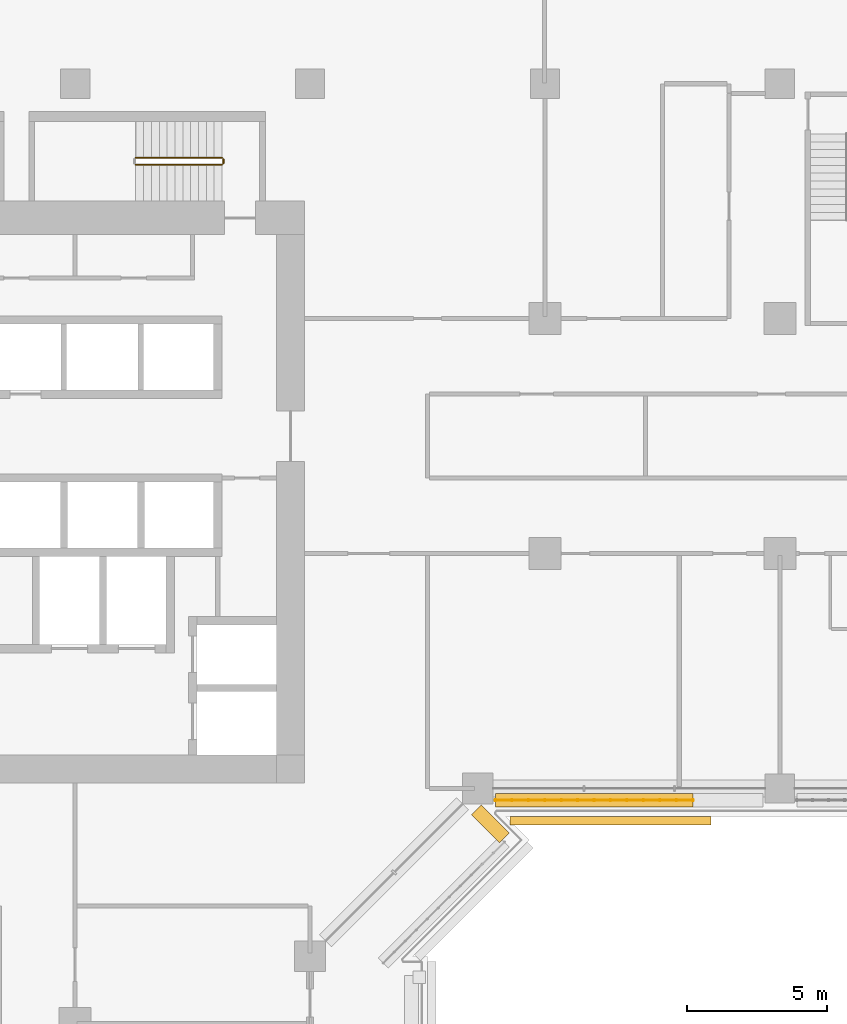
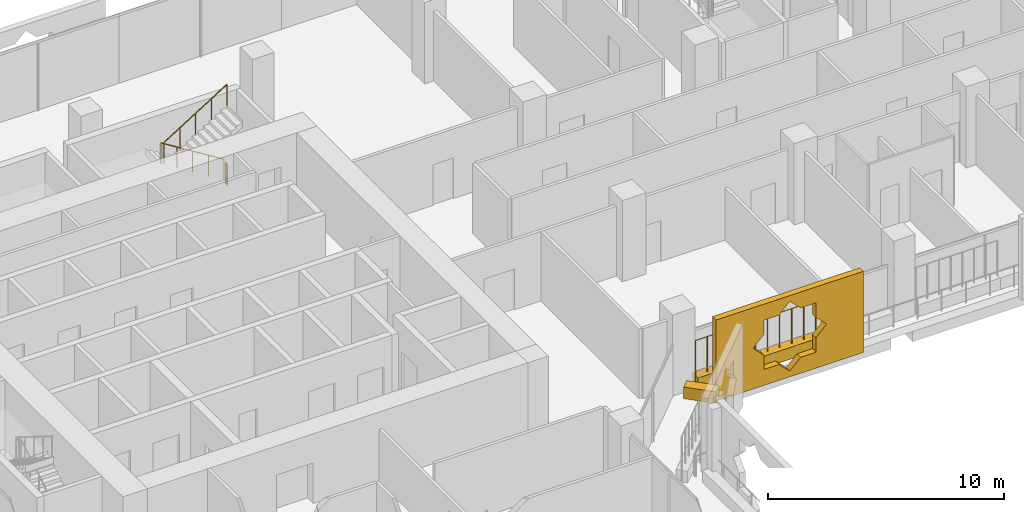
# One storey, part 22 of 25: 4 railings, 3 coverings.
"""IFC4 building model written with IfcOpenShell, lengths in metres."""

import ifcopenshell
import ifcopenshell.guid

model = None  # the IFC model being written
_history = None  # IfcOwnerHistory: only IFC2X3 demands one
_inside = {}  # id of a spatial element -> (the spatial element, [elements in it])
_under = {}  # id of a project, library or spatial element -> (it, [spatial elements below it])
_declared = {}  # id of a project -> (the project, [libraries it declares])
_typed = {}  # id of a type object -> (the type object, [elements of that type])
_made_of = {}  # id of a material, layer set ... -> (it, [elements and type objects made of it])


def new_model(schema):
    """Start an empty IFC model of exactly this schema.

    Asked for "IFC4X3", IfcOpenShell would pick the latest addendum, in which some entities
    have other attributes; the version numbers below select the first issue.
    IFC2X3 requires an IfcOwnerHistory on every rooted entity: one is made here for all.
    """
    global model, _history
    if schema == "IFC4X3":
        model = ifcopenshell.file(schema_version=(4, 3, 0, 0))
    else:
        model = ifcopenshell.file(schema=schema)
    _inside.clear()
    _under.clear()
    _declared.clear()
    _typed.clear()
    _made_of.clear()
    _history = None
    if model.schema == "IFC2X3":
        org = make("IfcOrganization", Name="unknown")
        user = make(
            "IfcPersonAndOrganization",
            ThePerson=make("IfcPerson", FamilyName="unknown"),
            TheOrganization=org,
        )
        app = make(
            "IfcApplication",
            ApplicationDeveloper=org,
            Version="unknown",
            ApplicationFullName="unknown",
            ApplicationIdentifier="unknown",
        )
        _history = make(
            "IfcOwnerHistory",
            OwningUser=user,
            OwningApplication=app,
            ChangeAction="ADDED",
            CreationDate=0,
        )
    return model


def make(cls, **values):
    """One entity of the class cls with the attributes given. An attribute that is None is left unset."""
    return model.create_entity(
        cls, **{name: value for name, value in values.items() if value is not None}
    )


def rooted(cls, **values):
    """An entity with a GlobalId (a new one), such as an element, a storey or a relation."""
    return make(cls, GlobalId=ifcopenshell.guid.new(), OwnerHistory=_history, **values)


def si_unit(unit_type, name, prefix=None):
    """IfcSIUnit, for example si_unit("LENGTHUNIT", "METRE", prefix="MILLI")."""
    return make("IfcSIUnit", UnitType=unit_type, Prefix=prefix, Name=name)


def assignment(units):
    """IfcUnitAssignment: the units of a project."""
    return None if units is None else make("IfcUnitAssignment", Units=units)


def point(xyz):
    """IfcCartesianPoint."""
    return None if xyz is None else make("IfcCartesianPoint", Coordinates=xyz)


def direction(xyz):
    """IfcDirection."""
    return None if xyz is None else make("IfcDirection", DirectionRatios=xyz)


def frame(location, z_axis=None, x_axis=None):
    """IfcAxis2Placement3D, a coordinate frame: its origin and axes. An axis left out is left unset."""
    return make(
        "IfcAxis2Placement3D",
        Location=point(location),
        Axis=direction(z_axis),
        RefDirection=direction(x_axis),
    )


def frame_2d(location, x_axis=None):
    """IfcAxis2Placement2D, a coordinate frame in the plane: its origin and x axis."""
    return make(
        "IfcAxis2Placement2D", Location=point(location), RefDirection=direction(x_axis)
    )


def origin():
    """The frame at (0, 0, 0) with its axes left unset."""
    return frame((0.0, 0.0, 0.0))


def origin_2d():
    """The frame at (0, 0) in the plane with its x axis left unset."""
    return frame_2d((0.0, 0.0))


def place(relative_to, where):
    """IfcLocalPlacement: puts the frame where relative to a parent placement (None: the world)."""
    return make(
        "IfcLocalPlacement", PlacementRelTo=relative_to, RelativePlacement=where
    )


def context(
    kind, dimensions, precision=None, world=None, true_north=None, identifier=None
):
    """IfcGeometricRepresentationContext, for example the 3D "Model" context."""
    return make(
        "IfcGeometricRepresentationContext",
        ContextIdentifier=identifier,
        ContextType=kind,
        CoordinateSpaceDimension=dimensions,
        Precision=precision,
        WorldCoordinateSystem=world,
        TrueNorth=true_north,
    )


def subcontext(parent, identifier, kind, view, scale=None):
    """IfcGeometricRepresentationSubContext, for example "Body" below "Model"."""
    return make(
        "IfcGeometricRepresentationSubContext",
        ContextIdentifier=identifier,
        ContextType=kind,
        ParentContext=parent,
        TargetScale=scale,
        TargetView=view,
    )


def project(units=None, contexts=None):
    """IfcProject with its units and contexts."""
    return rooted(
        "IfcProject",
        Name="project",
        RepresentationContexts=contexts,
        UnitsInContext=assignment(units),
    )


def spatial(cls, under=None, at=None, **own):
    """A site, building, storey or space (cls), placed at a placement, below another one or the project."""
    s = rooted(cls, ObjectPlacement=at, **own)
    if under is not None:
        _under.setdefault(under.id(), (under, []))[1].append(s)
    return s


def polyline(points):
    """IfcPolyline through the points."""
    return make("IfcPolyline", Points=[point(p) for p in points])


def profile(cls, at=None, kind="AREA", **sizes):
    """A parametric profile (cls). Its sizes go by their IFC names, for example OverallWidth=200.0."""
    return make(cls, ProfileType=kind, Position=at, **sizes)


def rectangle(**sizes):
    """IfcRectangleProfileDef."""
    return profile("IfcRectangleProfileDef", **sizes)


def circle(**sizes):
    """IfcCircleProfileDef."""
    return profile("IfcCircleProfileDef", **sizes)


def outline(outer, holes=None, kind="AREA"):
    """IfcArbitraryClosedProfileDef: a profile drawn as a closed curve; with holes, ...WithVoids."""
    if holes is None:
        return make("IfcArbitraryClosedProfileDef", ProfileType=kind, OuterCurve=outer)
    return make(
        "IfcArbitraryProfileDefWithVoids",
        ProfileType=kind,
        OuterCurve=outer,
        InnerCurves=holes,
    )


def extrude(swept, where, along, depth):
    """IfcExtrudedAreaSolid: the profile swept, set in the frame where, extruded along a direction by depth."""
    return make(
        "IfcExtrudedAreaSolid",
        SweptArea=swept,
        Position=where,
        ExtrudedDirection=direction(along),
        Depth=depth,
    )


def shape(context_of_items, identifier, shape_type, items):
    """IfcShapeRepresentation: the items that make up one representation, for example the "Body"."""
    return make(
        "IfcShapeRepresentation",
        ContextOfItems=context_of_items,
        RepresentationIdentifier=identifier,
        RepresentationType=shape_type,
        Items=items,
    )


def material(Name=None, Category=None):
    """IfcMaterial."""
    return make("IfcMaterial", Name=Name, Category=Category)


def material_profile(
    of_material, cross_section, Name=None, Category=None, Priority=None
):
    """IfcMaterialProfile: a cross section and its material."""
    return make(
        "IfcMaterialProfile",
        Name=Name,
        Material=of_material,
        Profile=cross_section,
        Priority=Priority,
        Category=Category,
    )


def profile_set(profiles, Name=None, composite=None):
    """IfcMaterialProfileSet."""
    return make(
        "IfcMaterialProfileSet",
        Name=Name,
        MaterialProfiles=profiles,
        CompositeProfile=composite,
    )


def made_of(thing, what):
    """Note that an element or type object is made of a material, layer set ...; save() writes the relation."""
    if what is not None:
        _made_of.setdefault(what.id(), (what, []))[1].append(thing)
    return thing


def type_object(cls, material=None, **own):
    """A type object (cls), such as IfcWallType, which elements share."""
    return made_of(rooted(cls, **own), material)


def element(
    cls,
    number,
    at=None,
    inside=None,
    cuts=None,
    type_object=None,
    material=None,
    context=None,
    identifier="Body",
    shape_type=None,
    held_by="IfcProductDefinitionShape",
    body=None,
    shapes=None,
    **own,
):
    """One element of the class cls, such as IfcWall. Its Tag is "e" and its number.

    at: its placement. inside: the storey or other place that contains it. cuts: it is an
    opening in that element (IfcRelVoidsElement). A single representation is given by context,
    identifier, shape_type and body (its items); several are given by shapes. held_by: the class
    of the entity that holds the representations. save() writes the other relations.
    """
    e = rooted(cls, Tag="e%d" % number, ObjectPlacement=at, **own)
    if body is not None:
        shapes = [shape(context, identifier, shape_type, body)]
    if shapes is not None:
        e.Representation = make(held_by, Representations=shapes)
    if inside is not None:
        _inside.setdefault(inside.id(), (inside, []))[1].append(e)
    if cuts is not None:
        rooted(
            "IfcRelVoidsElement", RelatingBuildingElement=cuts, RelatedOpeningElement=e
        )
    if type_object is not None:
        _typed.setdefault(type_object.id(), (type_object, []))[1].append(e)
    return made_of(e, material)


def aggregate(whole, parts):
    """IfcRelAggregates: a whole, such as a stair, and the parts it consists of."""
    return rooted("IfcRelAggregates", RelatingObject=whole, RelatedObjects=parts)


def save(model, path):
    """Write the relations noted so far, then the file.

    IfcRelAggregates (storeys below a building ...), IfcRelContainedInSpatialStructure (elements
    in a storey), IfcRelDefinesByType, IfcRelAssociatesMaterial and IfcRelDeclares: one each for
    every whole, place, type object, material and project.
    """
    for whole, parts in _under.values():
        aggregate(whole, parts)
    for where, things in _inside.values():
        rooted(
            "IfcRelContainedInSpatialStructure",
            RelatedElements=things,
            RelatingStructure=where,
        )
    for kind, things in _typed.values():
        rooted("IfcRelDefinesByType", RelatedObjects=things, RelatingType=kind)
    for what, things in _made_of.values():
        rooted("IfcRelAssociatesMaterial", RelatedObjects=things, RelatingMaterial=what)
    for by, libraries in _declared.values():
        rooted("IfcRelDeclares", RelatingContext=by, RelatedDefinitions=libraries)
    model.write(path)


model = new_model("IFC4")

# Units and contexts
model_context = context("Model", 3, precision=1e-05, world=origin(), true_north=direction((0.0, 1.0)))
body_context = subcontext(model_context, "Body", "Model", "MODEL_VIEW")
ifc_project = project(units=[si_unit("LENGTHUNIT", "METRE"), si_unit("AREAUNIT", "SQUARE_METRE"), si_unit("VOLUMEUNIT", "CUBIC_METRE"), si_unit("PLANEANGLEUNIT", "RADIAN"), si_unit("MASSUNIT", "GRAM", prefix="KILO")], contexts=[model_context])

# Site, building, storey
site_placement = place(None, origin())
site = spatial("IfcSite", under=ifc_project, at=site_placement, CompositionType="ELEMENT")
building_placement = place(site_placement, origin())
building = spatial("IfcBuilding", under=site, at=building_placement, Name="Kawkab Arch Medical Tower", CompositionType="ELEMENT")
storey_placement = place(building_placement, frame((0.0, 0.0, 124.0)))
storey = spatial("IfcBuildingStorey", under=building, at=storey_placement, Name="L28", CompositionType="ELEMENT", Elevation=124.0)

# Coverings
ifc_material_1 = material(Name="Bronze anodised aluminium mashrabiya panel, eight-point star pattern", Category="aluminium")
ifc_material_profile_1 = material_profile(ifc_material_1, outline(polyline([(-3.60009765625, -2.10009765625), (3.60009765625, -2.10009765625), (3.60009765625, 2.10009765625), (-3.60009765625, 2.10009765625), (-3.60009765625, -2.10009765625)]), holes=[polyline([(1.800048828125, 0.0), (1.272705078125, 0.527099609375), (1.272705078125, 1.272705078125), (0.527099609375, 1.272705078125), (0.0, 1.800048828125), (-0.527099609375, 1.272705078125), (-1.272705078125, 1.272705078125), (-1.272705078125, 0.527099609375), (-1.800048828125, 0.0), (-1.272705078125, -0.527099609375), (-1.272705078125, -1.272705078125), (-0.527099609375, -1.272705078125), (0.0, -1.800048828125), (0.527099609375, -1.272705078125), (1.272705078125, -1.272705078125), (1.272705078125, -0.527099609375), (1.800048828125, 0.0)])]), Name="Mashrabiya panel 7200x4200")
ifc_profile_set_1 = profile_set([ifc_material_profile_1], Name="Bronze anodised aluminium mashrabiya panel, eight-point star pattern")
covering_type_1 = type_object("IfcCoveringType", Name="Mashrabiya panel 7200 x 4200", PredefinedType="USERDEFINED", material=ifc_profile_set_1)
covering_1_placement = place(storey_placement, frame((35.944580078125, -26.199951171875, 1.699951171875), z_axis=(0.0, -1.0, 0.0), x_axis=(1.0, 0.0, 0.0)))
element("IfcCovering", 1, at=covering_1_placement, inside=storey, type_object=covering_type_1, Name="Mashrabiya panel L28.LOG-01-01.13", ObjectType="SCREEN", PredefinedType="USERDEFINED", context=body_context, shape_type="SweptSolid", body=[
    extrude(outline(polyline([(-3.60009765625, -2.10009765625), (3.60009765625, -2.10009765625), (3.60009765625, 2.10009765625), (-3.60009765625, 2.10009765625), (-3.60009765625, -2.10009765625)]), holes=[polyline([(1.800048828125, 0.0), (1.272705078125, 0.527099609375), (1.272705078125, 1.272705078125), (0.527099609375, 1.272705078125), (0.0, 1.800048828125), (-0.527099609375, 1.272705078125), (-1.272705078125, 1.272705078125), (-1.272705078125, 0.527099609375), (-1.800048828125, 0.0), (-1.272705078125, -0.527099609375), (-1.272705078125, -1.272705078125), (-0.527099609375, -1.272705078125), (0.0, -1.800048828125), (0.527099609375, -1.272705078125), (1.272705078125, -1.272705078125), (1.272705078125, -0.527099609375), (1.800048828125, 0.0)])]), origin(), (0.0, 0.0, 1.0), 0.300048828125),
])
ifc_material_2 = material(Name="Planting soil in a precast trough", Category="concrete")
ifc_material_profile_2 = material_profile(ifc_material_2, rectangle(XDim=0.5, YDim=0.60009765625, at=origin_2d()), Name="Trough 500x600")
ifc_profile_set_2 = profile_set([ifc_material_profile_2], Name="Planting soil in a precast trough")
covering_type_2 = type_object("IfcCoveringType", Name="Planter trough 500 x 600", PredefinedType="USERDEFINED", material=ifc_profile_set_2)
covering_2_placement = place(storey_placement, frame((38.89306640625, -25.6201171875, 0.300048828125), z_axis=(-1.0, 0.0, 0.0), x_axis=(0.0, -1.0, 0.0)))
element("IfcCovering", 2, at=covering_2_placement, inside=storey, type_object=covering_type_2, Name="Planter L28.LOG-01-01.41", ObjectType="PLANTER", PredefinedType="USERDEFINED", context=body_context, shape_type="SweptSolid", body=[
    extrude(rectangle(XDim=0.5, YDim=0.60009765625, at=origin_2d()), origin(), (0.0, 0.0, 1.0), 7.06298828125),
])
covering_3_placement = place(storey_placement, frame((31.14306640625, -25.962890625, 0.300048828125), z_axis=(0.707020805532, -0.707192746389, 0.0), x_axis=(0.707192746389, 0.707020805532, 0.0)))
element("IfcCovering", 3, at=covering_3_placement, inside=storey, type_object=covering_type_2, Name="Planter L28.LOG-01-01.42", ObjectType="PLANTER", PredefinedType="USERDEFINED", context=body_context, shape_type="SweptSolid", body=[
    extrude(rectangle(XDim=0.5, YDim=0.60009765625, at=origin_2d()), origin(), (0.0, 0.0, 1.0), 1.419921875),
])

# Railings
ifc_material_3 = material(Name="Bronze anodised aluminium trellis for climbing plants", Category="aluminium")
railing_type_1 = type_object("IfcRailingType", Name="Planting trellis 2400", PredefinedType="USERDEFINED", material=ifc_material_3)
railing_1_placement = place(storey_placement, frame((38.89306640625, -25.6201171875, 0.0)))
element("IfcRailing", 4, at=railing_1_placement, inside=storey, type_object=railing_type_1, Name="Planting trellis L28.LOG-01-01.41", ObjectType="TRELLIS", PredefinedType="USERDEFINED", context=body_context, shape_type="SweptSolid", body=[
    extrude(circle(Radius=0.01513671875, at=origin_2d()), frame((0.0, 0.0, 2.384765625), z_axis=(-1.0, 0.0, 0.0), x_axis=(0.0, -1.0, 0.0)), (0.0, 0.0, 1.0), 7.06298828125),
    extrude(circle(Radius=0.030029296875, at=origin_2d()), origin(), (0.0, 0.0, 1.0), 2.369873046875),
    extrude(circle(Radius=0.030029296875, at=origin_2d()), frame((-0.588623046875, 0.0, 0.0)), (0.0, 0.0, 1.0), 2.369873046875),
    extrude(circle(Radius=0.030029296875, at=origin_2d()), frame((-1.17724609375, 0.0, 0.0)), (0.0, 0.0, 1.0), 2.369873046875),
    extrude(circle(Radius=0.030029296875, at=origin_2d()), frame((-1.765625, 0.0, 0.0)), (0.0, 0.0, 1.0), 2.369873046875),
    extrude(circle(Radius=0.030029296875, at=origin_2d()), frame((-2.354248046875, 0.0, 0.0)), (0.0, 0.0, 1.0), 2.369873046875),
    extrude(circle(Radius=0.030029296875, at=origin_2d()), frame((-2.94287109375, 0.0, 0.0)), (0.0, 0.0, 1.0), 2.369873046875),
    extrude(circle(Radius=0.030029296875, at=origin_2d()), frame((-3.531494140625, 0.0, 0.0)), (0.0, 0.0, 1.0), 2.369873046875),
    extrude(circle(Radius=0.030029296875, at=origin_2d()), frame((-4.1201171875, 0.0, 0.0)), (0.0, 0.0, 1.0), 2.369873046875),
    extrude(circle(Radius=0.030029296875, at=origin_2d()), frame((-4.708740234375, 0.0, 0.0)), (0.0, 0.0, 1.0), 2.369873046875),
    extrude(circle(Radius=0.030029296875, at=origin_2d()), frame((-5.29736328125, 0.0, 0.0)), (0.0, 0.0, 1.0), 2.369873046875),
    extrude(circle(Radius=0.030029296875, at=origin_2d()), frame((-5.8857421875, 0.0, 0.0)), (0.0, 0.0, 1.0), 2.369873046875),
    extrude(circle(Radius=0.030029296875, at=origin_2d()), frame((-6.474365234375, 0.0, 0.0)), (0.0, 0.0, 1.0), 2.369873046875),
    extrude(circle(Radius=0.030029296875, at=origin_2d()), frame((-7.06298828125, 0.0, 0.0)), (0.0, 0.0, 1.0), 2.369873046875),
])
ifc_material_4 = material(Name="Stainless steel", Category="steel")
railing_type_2 = type_object("IfcRailingType", Name="Stair guard 1100", PredefinedType="GUARDRAIL", material=ifc_material_4)
railing_2_placement = place(storey_placement, frame((22.050048828125, -2.64990234375, 0.175048828125)))
element("IfcRailing", 5, at=railing_2_placement, inside=storey, type_object=railing_type_2, Name="L28 ST4 stair guard 1", PredefinedType="GUARDRAIL", context=body_context, shape_type="SweptSolid", body=[
    extrude(circle(Radius=0.02392578125, at=origin_2d()), frame((0.0, 0.0, 1.076171875), z_axis=(-0.847998304005, 0.0, 0.529998940003), x_axis=(0.0, -1.0, 0.0)), (0.0, 0.0, 1.0), 3.632080078125),
    extrude(circle(Radius=0.02099609375, at=origin_2d()), origin(), (0.0, 0.0, 1.0), 1.052001953125),
    extrude(circle(Radius=0.02099609375, at=origin_2d()), frame((-0.77001953125, 0.0, 0.481201171875)), (0.0, 0.0, 1.0), 1.052001953125),
    extrude(circle(Radius=0.02099609375, at=origin_2d()), frame((-1.5400390625, 0.0, 0.96240234375)), (0.0, 0.0, 1.0), 1.052001953125),
    extrude(circle(Radius=0.02099609375, at=origin_2d()), frame((-2.31005859375, 0.0, 1.44384765625)), (0.0, 0.0, 1.0), 1.052001953125),
    extrude(circle(Radius=0.02099609375, at=origin_2d()), frame((-3.080078125, 0.0, 1.925048828125)), (0.0, 0.0, 1.0), 1.052001953125),
])
railing_3_placement = place(storey_placement, frame((18.969970703125, -2.89990234375, 2.27490234375)))
element("IfcRailing", 6, at=railing_3_placement, inside=storey, type_object=railing_type_2, Name="L28 ST4 stair guard 3", PredefinedType="GUARDRAIL", context=body_context, shape_type="SweptSolid", body=[
    extrude(circle(Radius=0.02392578125, at=origin_2d()), frame((0.0, 0.0, 1.076171875), z_axis=(0.847998304005, 0.0, 0.529998940003), x_axis=(0.0, 1.0, 0.0)), (0.0, 0.0, 1.0), 3.632080078125),
    extrude(circle(Radius=0.02099609375, at=origin_2d()), origin(), (0.0, 0.0, 1.0), 1.052001953125),
    extrude(circle(Radius=0.02099609375, at=origin_2d()), frame((0.77001953125, 0.0, 0.481201171875)), (0.0, 0.0, 1.0), 1.052001953125),
    extrude(circle(Radius=0.02099609375, at=origin_2d()), frame((1.5400390625, 0.0, 0.96240234375)), (0.0, 0.0, 1.0), 1.052001953125),
    extrude(circle(Radius=0.02099609375, at=origin_2d()), frame((2.31005859375, 0.0, 1.44384765625)), (0.0, 0.0, 1.0), 1.052001953125),
    extrude(circle(Radius=0.02099609375, at=origin_2d()), frame((3.080078125, 0.0, 1.925048828125)), (0.0, 0.0, 1.0), 1.052001953125),
])
railing_4_placement = place(storey_placement, frame((22.10009765625, -2.699951171875, 0.0)))
element("IfcRailing", 7, at=railing_4_placement, inside=storey, type_object=railing_type_2, Name="L28 ST4 stair guard 4", PredefinedType="GUARDRAIL", context=body_context, shape_type="SweptSolid", body=[
    extrude(circle(Radius=0.02392578125, at=origin_2d()), frame((0.0, 0.0, 1.076171875), z_axis=(0.0, -1.0, 0.0), x_axis=(1.0, 0.0, 0.0)), (0.0, 0.0, 1.0), 0.150146484375),
    extrude(circle(Radius=0.02099609375, at=origin_2d()), origin(), (0.0, 0.0, 1.0), 1.052001953125),
    extrude(circle(Radius=0.02099609375, at=origin_2d()), frame((0.0, -0.150146484375, 0.0)), (0.0, 0.0, 1.0), 1.052001953125),
])

save(model, "model.ifc")
